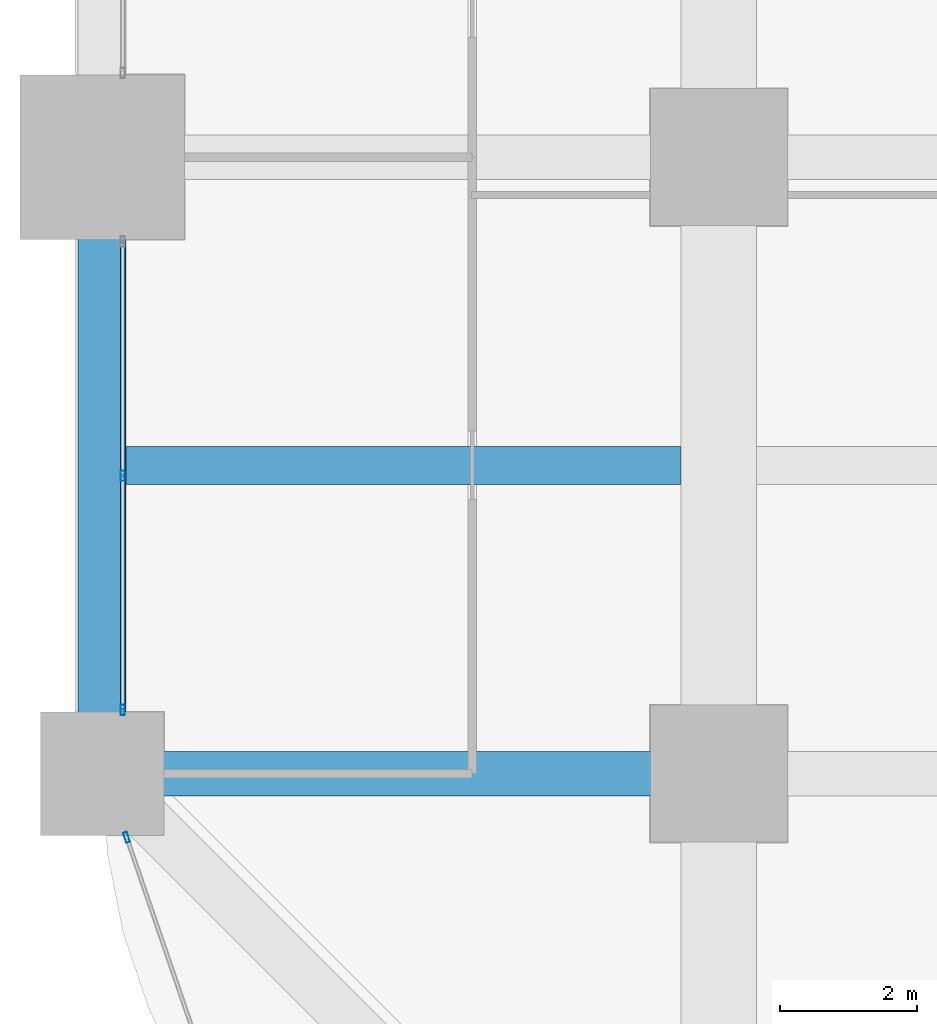
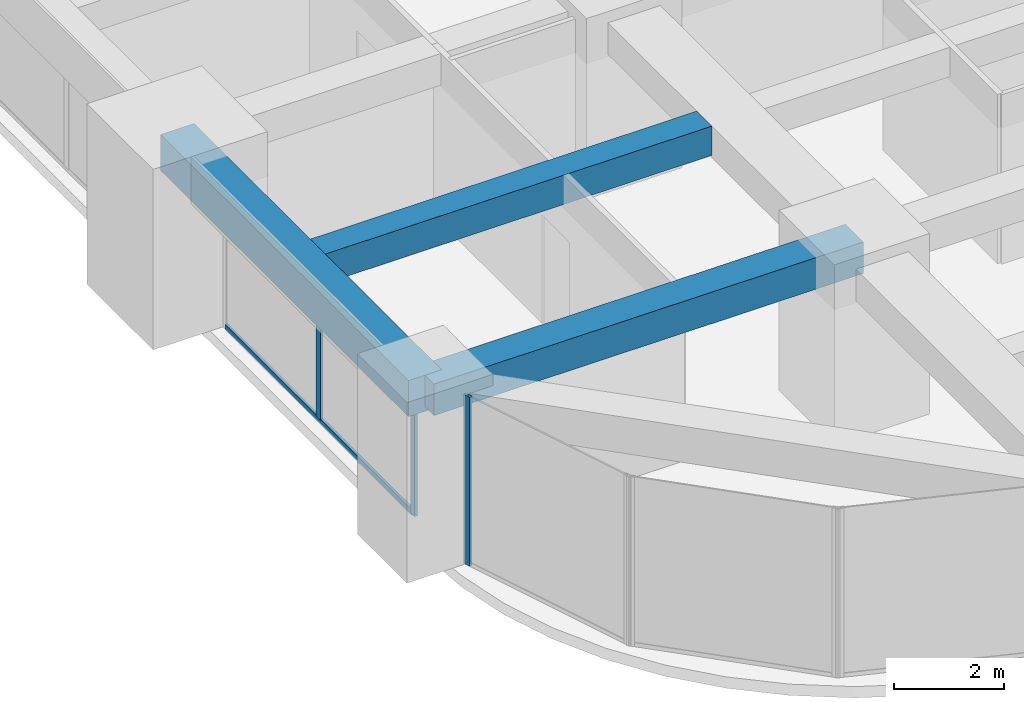
# One storey, part 4 of 41: 4 members, 3 beams, 2 elements without a shape of their own.
"""IFC4 building model written with IfcOpenShell, lengths in metres."""

from ifc_helpers import new_model, si_unit, direction, frame, origin, origin_2d, place, context, subcontext, project, spatial, rectangle, hollow_rectangle, extrude, material, material_profile, profile_set, type_object, element, aggregate, save


model = new_model("IFC4")

# Units and contexts
model_context = context("Model", 3, precision=1e-05, world=origin(), true_north=direction((0.0, 1.0)))
body_context = subcontext(model_context, "Body", "Model", "MODEL_VIEW")
ifc_project = project(units=[si_unit("LENGTHUNIT", "METRE"), si_unit("AREAUNIT", "SQUARE_METRE"), si_unit("VOLUMEUNIT", "CUBIC_METRE"), si_unit("PLANEANGLEUNIT", "RADIAN"), si_unit("MASSUNIT", "GRAM", prefix="KILO")], contexts=[model_context])

# Site, building, storey
site_placement = place(None, origin())
site = spatial("IfcSite", under=ifc_project, at=site_placement, CompositionType="ELEMENT")
building_placement = place(site_placement, origin())
building = spatial("IfcBuilding", under=site, at=building_placement, Name="Zorevar Civic Tower", CompositionType="ELEMENT")
storey_placement = place(building_placement, frame((0.0, 0.0, 109.0)))
storey = spatial("IfcBuildingStorey", under=building, at=storey_placement, Name="L26", CompositionType="ELEMENT", Elevation=109.0)

# Beams
ifc_material_1 = material(Name="Concrete C50/60", Category="concrete")
ifc_material_profile_1 = material_profile(ifc_material_1, rectangle(XDim=0.550048828125, YDim=0.64990234375, at=origin_2d()), Name="RC 550x650")
ifc_profile_set_1 = profile_set([ifc_material_profile_1], Name="Concrete C50/60")
beam_type_1 = type_object("IfcBeamType", Name="Beam RC 550x650", PredefinedType="BEAM", material=ifc_profile_set_1)
beam_1_placement = place(storey_placement, frame((0.35009765625, 13.5, 3.425048828125), z_axis=(1.0, 0.0, 0.0), x_axis=(0.0, 1.0, 0.0)))
element("IfcBeam", 1, at=beam_1_placement, inside=storey, type_object=beam_type_1, Name="Secondary beam L27", PredefinedType="BEAM", context=body_context, shape_type="SweptSolid", body=[
    extrude(rectangle(XDim=0.550048828125, YDim=0.64990234375, at=origin_2d()), origin(), (0.0, 0.0, 1.0), 8.099853515625),
])
ifc_material_2 = material(Name="Concrete C50/60", Category="concrete")
ifc_material_profile_2 = material_profile(ifc_material_2, rectangle(XDim=0.64990234375, YDim=0.699951171875, at=origin_2d()), Name="RC 650x700")
ifc_profile_set_2 = profile_set([ifc_material_profile_2], Name="Concrete C50/60")
beam_type_2 = type_object("IfcBeamType", Name="Beam RC 650x700", PredefinedType="BEAM", material=ifc_profile_set_2)
beam_2_placement = place(storey_placement, frame((0.0, 9.0, 3.39990234375), z_axis=(1.0, 0.0, 0.0), x_axis=(0.0, 1.0, 0.0)))
element("IfcBeam", 2, at=beam_2_placement, inside=storey, type_object=beam_type_2, Name="Girder L27", PredefinedType="BEAM", context=body_context, shape_type="SweptSolid", body=[
    extrude(rectangle(XDim=0.64990234375, YDim=0.699951171875, at=origin_2d()), origin(), (0.0, 0.0, 1.0), 9.0),
])

# Curtain wall, members
ifc_material_3 = material(Name="Dark grey solar-control glass in black aluminium frame", Category="aluminium")
curtain_wall_type = type_object("IfcCurtainWallType", Name="Curtain wall CW3 mid zone", PredefinedType="NOTDEFINED", material=ifc_material_3)
curtain_wall_1_placement = place(storey_placement, origin())
curtain_wall_1 = element("IfcCurtainWall", 3, at=curtain_wall_1_placement, inside=storey, type_object=curtain_wall_type, Name="CW3 L26", PredefinedType="NOTDEFINED")
ifc_material_4 = material(Name="Aluminium, black anodised", Category="aluminium")
ifc_material_profile_3 = material_profile(ifc_material_4, hollow_rectangle(XDim=0.06005859375, YDim=0.14990234375, WallThickness=0.00390625, at=origin_2d()), Name="AL 150x60x4")
ifc_profile_set_3 = profile_set([ifc_material_profile_3], Name="Aluminium, black anodised")
member_type_1 = type_object("IfcMemberType", Name="CW3 mullion AL 150x60x4", PredefinedType="MULLION", material=ifc_profile_set_3)
member_1_placement = place(storey_placement, frame((0.300048828125, 9.929931640625, 0.0), z_axis=(0.0, 0.0, 1.0), x_axis=(-1.0, 0.0, 0.0)))
member_1 = element("IfcMember", 4, at=member_1_placement, type_object=member_type_1, Name="CW3 mullion 1", PredefinedType="MULLION", context=body_context, shape_type="SweptSolid", body=[
    extrude(hollow_rectangle(XDim=0.06005859375, YDim=0.14990234375, WallThickness=0.00390625, at=origin_2d()), origin(), (0.0, 0.0, 1.0), 2.949951171875),
])
member_2_placement = place(storey_placement, frame((0.300048828125, 13.35009765625, 0.06005859375), z_axis=(0.0, 0.0, 1.0), x_axis=(-1.0, 0.0, 0.0)))
member_2 = element("IfcMember", 5, at=member_2_placement, type_object=member_type_1, Name="CW3 mullion 2", PredefinedType="MULLION", context=body_context, shape_type="SweptSolid", body=[
    extrude(hollow_rectangle(XDim=0.06005859375, YDim=0.14990234375, WallThickness=0.00390625, at=origin_2d()), origin(), (0.0, 0.0, 1.0), 2.889892578125),
])

# Curtain wall, member
curtain_wall_2_placement = place(storey_placement, origin())
curtain_wall_2 = element("IfcCurtainWall", 6, at=curtain_wall_2_placement, inside=storey, type_object=curtain_wall_type, Name="CW3 L26", PredefinedType="NOTDEFINED")
member_3_placement = place(storey_placement, frame((0.3564453125, 8.071533203125, 0.0), z_axis=(0.0, 0.0, 1.0), x_axis=(0.945755772794, 0.324878466857, 0.0)))
member_3 = element("IfcMember", 7, at=member_3_placement, type_object=member_type_1, Name="CW3 mullion 1", PredefinedType="MULLION", context=body_context, shape_type="SweptSolid", body=[
    extrude(hollow_rectangle(XDim=0.06005859375, YDim=0.14990234375, WallThickness=0.00390625, at=origin_2d()), origin(), (0.0, 0.0, 1.0), 3.75),
])
aggregate(curtain_wall_2, [member_3])

# Member
ifc_material_5 = material(Name="Aluminium, black anodised", Category="aluminium")
ifc_material_profile_4 = material_profile(ifc_material_5, hollow_rectangle(XDim=0.06005859375, YDim=0.1201171875, WallThickness=0.0029296875, at=origin_2d()), Name="AL 120x60x3")
ifc_profile_set_4 = profile_set([ifc_material_profile_4], Name="Aluminium, black anodised")
member_type_2 = type_object("IfcMemberType", Name="CW3 transom AL 120x60x3", PredefinedType="USERDEFINED", material=ifc_profile_set_4)
member_4_placement = place(storey_placement, frame((0.300048828125, 9.9599609375, 0.030029296875), z_axis=(0.0, 1.0, 0.0), x_axis=(-1.0, 0.0, 0.0)))
member_4 = element("IfcMember", 8, at=member_4_placement, type_object=member_type_2, Name="CW3 sill transom", ObjectType="TRANSOM", PredefinedType="USERDEFINED", context=body_context, shape_type="SweptSolid", body=[
    extrude(hollow_rectangle(XDim=0.06005859375, YDim=0.1201171875, WallThickness=0.0029296875, at=origin_2d()), origin(), (0.0, 0.0, 1.0), 6.780029296875),
])

aggregate(curtain_wall_1, [member_1, member_2, member_4])

# Beam
ifc_material_6 = material(Name="Concrete C50/60", Category="concrete")
ifc_material_profile_5 = material_profile(ifc_material_6, rectangle(XDim=0.699951171875, YDim=0.800048828125, at=origin_2d()), Name="RC 700x800")
ifc_profile_set_5 = profile_set([ifc_material_profile_5], Name="Concrete C50/60")
beam_type_3 = type_object("IfcBeamType", Name="Edge beam RC 700x800", PredefinedType="SPANDREL", material=ifc_profile_set_5)
beam_3_placement = place(storey_placement, frame((0.0, 9.0, 3.35009765625), z_axis=(0.0, 1.0, 0.0), x_axis=(-1.0, 0.0, 0.0)))
element("IfcBeam", 9, at=beam_3_placement, inside=storey, type_object=beam_type_3, Name="Edge beam L27", PredefinedType="SPANDREL", context=body_context, shape_type="SweptSolid", body=[
    extrude(rectangle(XDim=0.699951171875, YDim=0.800048828125, at=origin_2d()), origin(), (0.0, 0.0, 1.0), 9.0),
])

save(model, "model.ifc")
